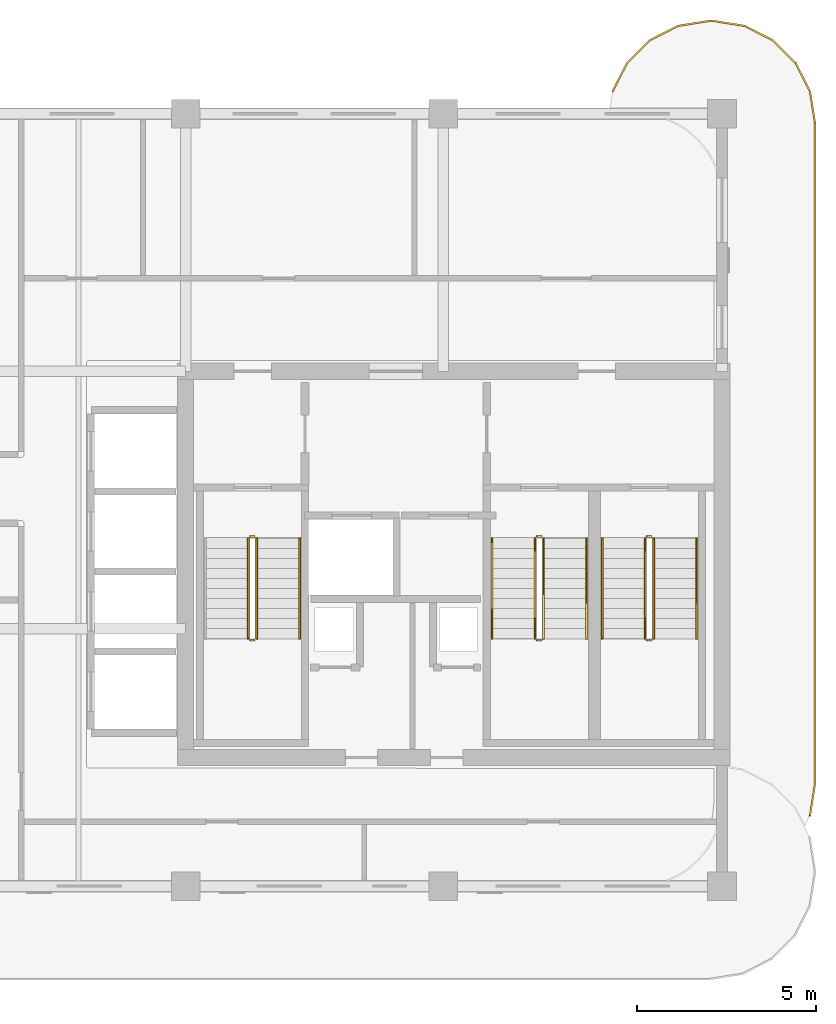
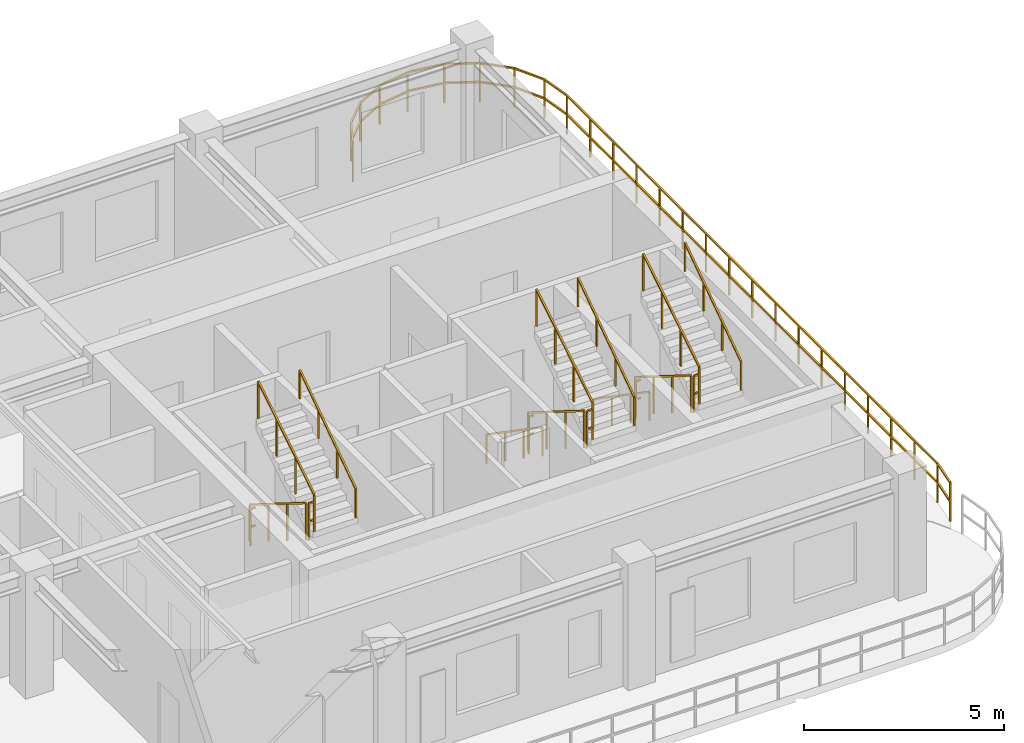
# One storey, part 7 of 7: 18 railings.
"""IFC4 building model written with IfcOpenShell, lengths in metres."""

from ifc_helpers import new_model, si_unit, derived_unit, direction, frame, origin, origin_2d, place, context, subcontext, project, spatial, rectangle, extrude, material, type_object, element, save


model = new_model("IFC4")

# Units and contexts
model_context = context("Model", 3, precision=1e-05, world=origin(), true_north=direction((0.0, 1.0)))
body_context = subcontext(model_context, "Body", "Model", "MODEL_VIEW")
ifc_project = project(units=[si_unit("LENGTHUNIT", "METRE"), si_unit("AREAUNIT", "SQUARE_METRE"), si_unit("VOLUMEUNIT", "CUBIC_METRE"), si_unit("PLANEANGLEUNIT", "RADIAN"), si_unit("MASSUNIT", "GRAM", prefix="KILO"), si_unit("THERMODYNAMICTEMPERATUREUNIT", "KELVIN"), si_unit("POWERUNIT", "WATT"), derived_unit("THERMALTRANSMITTANCEUNIT", [(si_unit("POWERUNIT", "WATT"), 1), (si_unit("AREAUNIT", "SQUARE_METRE"), -1), (si_unit("THERMODYNAMICTEMPERATUREUNIT", "KELVIN"), -1)])], contexts=[model_context])

# Site, building, storey
site_placement = place(None, origin())
site = spatial("IfcSite", under=ifc_project, at=site_placement, CompositionType="ELEMENT")
building_placement = place(site_placement, origin())
building = spatial("IfcBuilding", under=site, at=building_placement, Name="Zahravan Archway Hotel and Residences", CompositionType="ELEMENT")
storey_placement = place(building_placement, frame((0.0, 0.0, 255.800048828125)))
storey = spatial("IfcBuildingStorey", under=building, at=storey_placement, Name="L64", CompositionType="ELEMENT", Elevation=255.800048828125)

# Railings
ifc_material_1 = material(Name="Bronze & Laminated Glass Balustrade", Category="glass")
railing_type_1 = type_object("IfcRailingType", Name="RL-BAL-1200", PredefinedType="BALUSTRADE", material=ifc_material_1)
railing_1_placement = place(storey_placement, frame((46.739501953125, 22.230712890625, 0.0)))
element("IfcRailing", 1, at=railing_1_placement, inside=storey, type_object=railing_type_1, Name="L64 Balustrade RL-SLB-BAL-L64-EA-1", PredefinedType="BALUSTRADE", context=body_context, shape_type="SweptSolid", body=[
    extrude(rectangle(XDim=0.048095703125, YDim=0.048095703125, at=origin_2d()), frame((0.0, 0.0, 1.17578125), z_axis=(0.453991409995, 0.891006060389, 0.0), x_axis=(-0.891006060389, 0.453991409995, 0.0)), (0.0, 0.0, 1.0), 0.8916015625),
    extrude(rectangle(XDim=0.048095703125, YDim=0.048095703125, at=origin_2d()), frame((0.0, 0.0, 0.60009765625), z_axis=(0.453991409995, 0.891006060389, 0.0), x_axis=(-0.891006060389, 0.453991409995, 0.0)), (0.0, 0.0, 1.0), 0.8916015625),
    extrude(rectangle(XDim=0.048095703125, YDim=0.048095703125, at=origin_2d()), frame((0.40478515625, 0.79443359375, 1.17578125), z_axis=(0.707106781187, 0.707106781187, 0.0), x_axis=(-0.707106781187, 0.707106781187, 0.0)), (0.0, 0.0, 1.0), 0.891845703125),
    extrude(rectangle(XDim=0.048095703125, YDim=0.048095703125, at=origin_2d()), frame((0.40478515625, 0.79443359375, 0.60009765625), z_axis=(0.707106781187, 0.707106781187, 0.0), x_axis=(-0.707106781187, 0.707106781187, 0.0)), (0.0, 0.0, 1.0), 0.891845703125),
    extrude(rectangle(XDim=0.048095703125, YDim=0.048095703125, at=origin_2d()), frame((1.035400390625, 1.425048828125, 1.17578125), z_axis=(0.891006060389, 0.453991409995, 0.0), x_axis=(-0.453991409995, 0.891006060389, 0.0)), (0.0, 0.0, 1.0), 0.8916015625),
    extrude(rectangle(XDim=0.048095703125, YDim=0.048095703125, at=origin_2d()), frame((1.035400390625, 1.425048828125, 0.60009765625), z_axis=(0.891006060389, 0.453991409995, 0.0), x_axis=(-0.453991409995, 0.891006060389, 0.0)), (0.0, 0.0, 1.0), 0.8916015625),
    extrude(rectangle(XDim=0.048095703125, YDim=0.048095703125, at=origin_2d()), frame((1.829833984375, 1.829833984375, 1.17578125), z_axis=(0.987700720307, 0.156356282588, 0.0), x_axis=(-0.156356282588, 0.987700720307, 0.0)), (0.0, 0.0, 1.0), 0.8916015625),
    extrude(rectangle(XDim=0.048095703125, YDim=0.048095703125, at=origin_2d()), frame((1.829833984375, 1.829833984375, 0.60009765625), z_axis=(0.987700720307, 0.156356282588, 0.0), x_axis=(-0.156356282588, 0.987700720307, 0.0)), (0.0, 0.0, 1.0), 0.8916015625),
    extrude(rectangle(XDim=0.048095703125, YDim=0.048095703125, at=origin_2d()), frame((2.71044921875, 1.96923828125, 1.17578125), z_axis=(1.0, 0.0, 0.0), x_axis=(0.0, 1.0, 0.0)), (0.0, 0.0, 1.0), 0.10009765625),
    extrude(rectangle(XDim=0.048095703125, YDim=0.048095703125, at=origin_2d()), frame((2.71044921875, 1.96923828125, 0.60009765625), z_axis=(1.0, 0.0, 0.0), x_axis=(0.0, 1.0, 0.0)), (0.0, 0.0, 1.0), 0.10009765625),
    extrude(rectangle(XDim=0.048095703125, YDim=0.048095703125, at=origin_2d()), frame((2.810546875, 1.96923828125, 1.17578125), z_axis=(0.987700720307, -0.156356282588, 0.0), x_axis=(0.156356282588, 0.987700720307, 0.0)), (0.0, 0.0, 1.0), 0.8916015625),
    extrude(rectangle(XDim=0.048095703125, YDim=0.048095703125, at=origin_2d()), frame((2.810546875, 1.96923828125, 0.60009765625), z_axis=(0.987700720307, -0.156356282588, 0.0), x_axis=(0.156356282588, 0.987700720307, 0.0)), (0.0, 0.0, 1.0), 0.8916015625),
    extrude(rectangle(XDim=0.048095703125, YDim=0.048095703125, at=origin_2d()), frame((3.691162109375, 1.829833984375, 1.17578125), z_axis=(0.891006060389, -0.453991409995, 0.0), x_axis=(0.453991409995, 0.891006060389, 0.0)), (0.0, 0.0, 1.0), 0.8916015625),
    extrude(rectangle(XDim=0.048095703125, YDim=0.048095703125, at=origin_2d()), frame((3.691162109375, 1.829833984375, 0.60009765625), z_axis=(0.891006060389, -0.453991409995, 0.0), x_axis=(0.453991409995, 0.891006060389, 0.0)), (0.0, 0.0, 1.0), 0.8916015625),
    extrude(rectangle(XDim=0.048095703125, YDim=0.048095703125, at=origin_2d()), frame((4.485595703125, 1.425048828125, 1.17578125), z_axis=(0.707106781187, -0.707106781187, 0.0), x_axis=(0.707106781187, 0.707106781187, 0.0)), (0.0, 0.0, 1.0), 0.891845703125),
    extrude(rectangle(XDim=0.048095703125, YDim=0.048095703125, at=origin_2d()), frame((4.485595703125, 1.425048828125, 0.60009765625), z_axis=(0.707106781187, -0.707106781187, 0.0), x_axis=(0.707106781187, 0.707106781187, 0.0)), (0.0, 0.0, 1.0), 0.891845703125),
    extrude(rectangle(XDim=0.048095703125, YDim=0.048095703125, at=origin_2d()), frame((5.1162109375, 0.79443359375, 1.17578125), z_axis=(0.453991409995, -0.891006060389, 0.0), x_axis=(0.891006060389, 0.453991409995, 0.0)), (0.0, 0.0, 1.0), 0.8916015625),
    extrude(rectangle(XDim=0.048095703125, YDim=0.048095703125, at=origin_2d()), frame((5.1162109375, 0.79443359375, 0.60009765625), z_axis=(0.453991409995, -0.891006060389, 0.0), x_axis=(0.891006060389, 0.453991409995, 0.0)), (0.0, 0.0, 1.0), 0.8916015625),
    extrude(rectangle(XDim=0.048095703125, YDim=0.048095703125, at=origin_2d()), frame((5.52099609375, 0.0, 1.17578125), z_axis=(0.156356282588, -0.987700720307, 0.0), x_axis=(0.987700720307, 0.156356282588, 0.0)), (0.0, 0.0, 1.0), 0.8916015625),
    extrude(rectangle(XDim=0.048095703125, YDim=0.048095703125, at=origin_2d()), frame((5.52099609375, 0.0, 0.60009765625), z_axis=(0.156356282588, -0.987700720307, 0.0), x_axis=(0.987700720307, 0.156356282588, 0.0)), (0.0, 0.0, 1.0), 0.8916015625),
    extrude(rectangle(XDim=0.048095703125, YDim=0.048095703125, at=origin_2d()), frame((5.660400390625, -0.880615234375, 1.17578125), z_axis=(0.0, -1.0, 0.0), x_axis=(1.0, 0.0, 0.0)), (0.0, 0.0, 1.0), 18.5),
    extrude(rectangle(XDim=0.048095703125, YDim=0.048095703125, at=origin_2d()), frame((5.660400390625, -0.880615234375, 0.60009765625), z_axis=(0.0, -1.0, 0.0), x_axis=(1.0, 0.0, 0.0)), (0.0, 0.0, 1.0), 18.5),
    extrude(rectangle(XDim=0.048095703125, YDim=0.048095703125, at=origin_2d()), frame((5.660400390625, -19.380615234375, 1.17578125), z_axis=(-0.156314005608, -0.987707411965, 0.0), x_axis=(0.987707411965, -0.156314005608, 0.0)), (0.0, 0.0, 1.0), 0.891845703125),
    extrude(rectangle(XDim=0.048095703125, YDim=0.048095703125, at=origin_2d()), frame((5.660400390625, -19.380615234375, 0.60009765625), z_axis=(-0.156314005608, -0.987707411965, 0.0), x_axis=(0.987707411965, -0.156314005608, 0.0)), (0.0, 0.0, 1.0), 0.891845703125),
    extrude(rectangle(XDim=0.0419921875, YDim=0.0419921875, at=origin_2d()), origin(), (0.0, 0.0, 1.0), 1.15185546875),
    extrude(rectangle(XDim=0.0419921875, YDim=0.0419921875, at=origin_2d()), frame((0.40478515625, 0.79443359375, 0.0)), (0.0, 0.0, 1.0), 1.15185546875),
    extrude(rectangle(XDim=0.0419921875, YDim=0.0419921875, at=origin_2d()), frame((1.035400390625, 1.425048828125, 0.0)), (0.0, 0.0, 1.0), 1.15185546875),
    extrude(rectangle(XDim=0.0419921875, YDim=0.0419921875, at=origin_2d()), frame((1.829833984375, 1.829833984375, 0.0)), (0.0, 0.0, 1.0), 1.15185546875),
    extrude(rectangle(XDim=0.0419921875, YDim=0.0419921875, at=origin_2d()), frame((2.71044921875, 1.96923828125, 0.0)), (0.0, 0.0, 1.0), 1.15185546875),
    extrude(rectangle(XDim=0.0419921875, YDim=0.0419921875, at=origin_2d()), frame((3.691162109375, 1.829833984375, 0.0)), (0.0, 0.0, 1.0), 1.15185546875),
    extrude(rectangle(XDim=0.0419921875, YDim=0.0419921875, at=origin_2d()), frame((4.485595703125, 1.425048828125, 0.0)), (0.0, 0.0, 1.0), 1.15185546875),
    extrude(rectangle(XDim=0.0419921875, YDim=0.0419921875, at=origin_2d()), frame((5.1162109375, 0.79443359375, 0.0)), (0.0, 0.0, 1.0), 1.15185546875),
    extrude(rectangle(XDim=0.0419921875, YDim=0.0419921875, at=origin_2d()), frame((5.52099609375, 0.0, 0.0)), (0.0, 0.0, 1.0), 1.15185546875),
    extrude(rectangle(XDim=0.0419921875, YDim=0.0419921875, at=origin_2d()), frame((5.660400390625, -0.880615234375, 0.0)), (0.0, 0.0, 1.0), 1.15185546875),
    extrude(rectangle(XDim=0.0419921875, YDim=0.0419921875, at=origin_2d()), frame((5.660400390625, -2.036865234375, 0.0)), (0.0, 0.0, 1.0), 1.15185546875),
    extrude(rectangle(XDim=0.0419921875, YDim=0.0419921875, at=origin_2d()), frame((5.660400390625, -3.193115234375, 0.0)), (0.0, 0.0, 1.0), 1.15185546875),
    extrude(rectangle(XDim=0.0419921875, YDim=0.0419921875, at=origin_2d()), frame((5.660400390625, -4.349365234375, 0.0)), (0.0, 0.0, 1.0), 1.15185546875),
    extrude(rectangle(XDim=0.0419921875, YDim=0.0419921875, at=origin_2d()), frame((5.660400390625, -5.505615234375, 0.0)), (0.0, 0.0, 1.0), 1.15185546875),
    extrude(rectangle(XDim=0.0419921875, YDim=0.0419921875, at=origin_2d()), frame((5.660400390625, -6.661865234375, 0.0)), (0.0, 0.0, 1.0), 1.15185546875),
    extrude(rectangle(XDim=0.0419921875, YDim=0.0419921875, at=origin_2d()), frame((5.660400390625, -7.818115234375, 0.0)), (0.0, 0.0, 1.0), 1.15185546875),
    extrude(rectangle(XDim=0.0419921875, YDim=0.0419921875, at=origin_2d()), frame((5.660400390625, -8.974365234375, 0.0)), (0.0, 0.0, 1.0), 1.15185546875),
    extrude(rectangle(XDim=0.0419921875, YDim=0.0419921875, at=origin_2d()), frame((5.660400390625, -10.130615234375, 0.0)), (0.0, 0.0, 1.0), 1.15185546875),
    extrude(rectangle(XDim=0.0419921875, YDim=0.0419921875, at=origin_2d()), frame((5.660400390625, -11.286865234375, 0.0)), (0.0, 0.0, 1.0), 1.15185546875),
    extrude(rectangle(XDim=0.0419921875, YDim=0.0419921875, at=origin_2d()), frame((5.660400390625, -12.443115234375, 0.0)), (0.0, 0.0, 1.0), 1.15185546875),
    extrude(rectangle(XDim=0.0419921875, YDim=0.0419921875, at=origin_2d()), frame((5.660400390625, -13.599365234375, 0.0)), (0.0, 0.0, 1.0), 1.15185546875),
    extrude(rectangle(XDim=0.0419921875, YDim=0.0419921875, at=origin_2d()), frame((5.660400390625, -14.755615234375, 0.0)), (0.0, 0.0, 1.0), 1.15185546875),
    extrude(rectangle(XDim=0.0419921875, YDim=0.0419921875, at=origin_2d()), frame((5.660400390625, -15.911865234375, 0.0)), (0.0, 0.0, 1.0), 1.15185546875),
    extrude(rectangle(XDim=0.0419921875, YDim=0.0419921875, at=origin_2d()), frame((5.660400390625, -17.068115234375, 0.0)), (0.0, 0.0, 1.0), 1.15185546875),
    extrude(rectangle(XDim=0.0419921875, YDim=0.0419921875, at=origin_2d()), frame((5.660400390625, -18.224365234375, 0.0)), (0.0, 0.0, 1.0), 1.15185546875),
    extrude(rectangle(XDim=0.0419921875, YDim=0.0419921875, at=origin_2d()), frame((5.660400390625, -19.380615234375, 0.0)), (0.0, 0.0, 1.0), 1.15185546875),
    extrude(rectangle(XDim=0.0419921875, YDim=0.0419921875, at=origin_2d()), frame((5.52099609375, -20.261474609375, 0.0)), (0.0, 0.0, 1.0), 1.15185546875),
])
ifc_material_2 = material(Name="Painted Tubular Steel", Category="steel")
railing_type_2 = type_object("IfcRailingType", Name="RL-STG-1150", PredefinedType="GUARDRAIL", material=ifc_material_2)
railing_2_placement = place(storey_placement, frame((36.550048828125, 9.72998046875, 0.175048828125)))
element("IfcRailing", 2, at=railing_2_placement, inside=storey, type_object=railing_type_2, Name="L64 ST-A1 stair guard 1", PredefinedType="GUARDRAIL", context=body_context, shape_type="SweptSolid", body=[
    extrude(rectangle(XDim=0.048095703125, YDim=0.048095703125, at=origin_2d()), frame((0.0, 0.0, 1.1259765625), z_axis=(0.0, -0.848002457836, 0.529992293815), x_axis=(1.0, 0.0, 0.0)), (0.0, 0.0, 1.0), 3.302001953125),
    extrude(rectangle(XDim=0.0419921875, YDim=0.0419921875, at=origin_2d()), origin(), (0.0, 0.0, 1.0), 1.101806640625),
    extrude(rectangle(XDim=0.0419921875, YDim=0.0419921875, at=origin_2d()), frame((0.0, -0.933349609375, 0.583251953125)), (0.0, 0.0, 1.0), 1.101806640625),
    extrude(rectangle(XDim=0.0419921875, YDim=0.0419921875, at=origin_2d()), frame((0.0, -1.86669921875, 1.166748046875)), (0.0, 0.0, 1.0), 1.101806640625),
    extrude(rectangle(XDim=0.0419921875, YDim=0.0419921875, at=origin_2d()), frame((0.0, -2.800048828125, 1.75)), (0.0, 0.0, 1.0), 1.101806640625),
])
railing_3_placement = place(storey_placement, frame((36.60009765625, 6.8798828125, 1.925048828125)))
element("IfcRailing", 3, at=railing_3_placement, inside=storey, type_object=railing_type_2, Name="L64 ST-A1 stair guard 2", PredefinedType="GUARDRAIL", context=body_context, shape_type="SweptSolid", body=[
    extrude(rectangle(XDim=0.048095703125, YDim=0.048095703125, at=origin_2d()), frame((0.0, 0.0, 1.1259765625), z_axis=(1.0, 0.0, 0.0), x_axis=(0.0, 1.0, 0.0)), (0.0, 0.0, 1.0), 0.139892578125),
    extrude(rectangle(XDim=0.048095703125, YDim=0.048095703125, at=origin_2d()), frame((0.0, 0.0, 0.574951171875), z_axis=(1.0, 0.0, 0.0), x_axis=(0.0, 1.0, 0.0)), (0.0, 0.0, 1.0), 0.139892578125),
    extrude(rectangle(XDim=0.0419921875, YDim=0.0419921875, at=origin_2d()), origin(), (0.0, 0.0, 1.0), 1.101806640625),
])
railing_4_placement = place(storey_placement, frame((36.7900390625, 6.929931640625, 2.099853515625)))
element("IfcRailing", 4, at=railing_4_placement, inside=storey, type_object=railing_type_2, Name="L64 ST-A1 stair guard 3", PredefinedType="GUARDRAIL", context=body_context, shape_type="SweptSolid", body=[
    extrude(rectangle(XDim=0.048095703125, YDim=0.048095703125, at=origin_2d()), frame((0.0, 0.0, 1.1259765625), z_axis=(0.0, 0.848002457836, 0.529992293815), x_axis=(-1.0, 0.0, 0.0)), (0.0, 0.0, 1.0), 3.302001953125),
    extrude(rectangle(XDim=0.0419921875, YDim=0.0419921875, at=origin_2d()), origin(), (0.0, 0.0, 1.0), 1.101806640625),
    extrude(rectangle(XDim=0.0419921875, YDim=0.0419921875, at=origin_2d()), frame((0.0, 0.933349609375, 0.583251953125)), (0.0, 0.0, 1.0), 1.101806640625),
    extrude(rectangle(XDim=0.0419921875, YDim=0.0419921875, at=origin_2d()), frame((0.0, 1.86669921875, 1.166748046875)), (0.0, 0.0, 1.0), 1.101806640625),
    extrude(rectangle(XDim=0.0419921875, YDim=0.0419921875, at=origin_2d()), frame((0.0, 2.800048828125, 1.75)), (0.0, 0.0, 1.0), 1.101806640625),
])
railing_5_placement = place(storey_placement, frame((36.60009765625, 9.780029296875, 0.0)))
element("IfcRailing", 5, at=railing_5_placement, inside=storey, type_object=railing_type_2, Name="L64 ST-A1 stair guard 4", PredefinedType="GUARDRAIL", context=body_context, shape_type="SweptSolid", body=[
    extrude(rectangle(XDim=0.048095703125, YDim=0.048095703125, at=origin_2d()), frame((0.0, 0.0, 1.1259765625), z_axis=(1.0, 0.0, 0.0), x_axis=(0.0, 1.0, 0.0)), (0.0, 0.0, 1.0), 0.139892578125),
    extrude(rectangle(XDim=0.048095703125, YDim=0.048095703125, at=origin_2d()), frame((0.0, 0.0, 0.574951171875), z_axis=(1.0, 0.0, 0.0), x_axis=(0.0, 1.0, 0.0)), (0.0, 0.0, 1.0), 0.139892578125),
    extrude(rectangle(XDim=0.0419921875, YDim=0.0419921875, at=origin_2d()), origin(), (0.0, 0.0, 1.0), 1.101806640625),
])
railing_6_placement = place(storey_placement, frame((44.570068359375, 9.72998046875, 0.175048828125)))
element("IfcRailing", 6, at=railing_6_placement, inside=storey, type_object=railing_type_2, Name="L64 ST-A2 stair guard 1", PredefinedType="GUARDRAIL", context=body_context, shape_type="SweptSolid", body=[
    extrude(rectangle(XDim=0.048095703125, YDim=0.048095703125, at=origin_2d()), frame((0.0, 0.0, 1.1259765625), z_axis=(0.0, -0.848002457836, 0.529992293815), x_axis=(1.0, 0.0, 0.0)), (0.0, 0.0, 1.0), 3.302001953125),
    extrude(rectangle(XDim=0.0419921875, YDim=0.0419921875, at=origin_2d()), origin(), (0.0, 0.0, 1.0), 1.101806640625),
    extrude(rectangle(XDim=0.0419921875, YDim=0.0419921875, at=origin_2d()), frame((0.0, -0.933349609375, 0.583251953125)), (0.0, 0.0, 1.0), 1.101806640625),
    extrude(rectangle(XDim=0.0419921875, YDim=0.0419921875, at=origin_2d()), frame((0.0, -1.86669921875, 1.166748046875)), (0.0, 0.0, 1.0), 1.101806640625),
    extrude(rectangle(XDim=0.0419921875, YDim=0.0419921875, at=origin_2d()), frame((0.0, -2.800048828125, 1.75)), (0.0, 0.0, 1.0), 1.101806640625),
])
railing_7_placement = place(storey_placement, frame((44.6201171875, 6.8798828125, 1.925048828125)))
element("IfcRailing", 7, at=railing_7_placement, inside=storey, type_object=railing_type_2, Name="L64 ST-A2 stair guard 2", PredefinedType="GUARDRAIL", context=body_context, shape_type="SweptSolid", body=[
    extrude(rectangle(XDim=0.048095703125, YDim=0.048095703125, at=origin_2d()), frame((0.0, 0.0, 1.1259765625), z_axis=(1.0, 0.0, 0.0), x_axis=(0.0, 1.0, 0.0)), (0.0, 0.0, 1.0), 0.139892578125),
    extrude(rectangle(XDim=0.048095703125, YDim=0.048095703125, at=origin_2d()), frame((0.0, 0.0, 0.574951171875), z_axis=(1.0, 0.0, 0.0), x_axis=(0.0, 1.0, 0.0)), (0.0, 0.0, 1.0), 0.139892578125),
    extrude(rectangle(XDim=0.0419921875, YDim=0.0419921875, at=origin_2d()), origin(), (0.0, 0.0, 1.0), 1.101806640625),
])
railing_8_placement = place(storey_placement, frame((44.81005859375, 6.929931640625, 2.099853515625)))
element("IfcRailing", 8, at=railing_8_placement, inside=storey, type_object=railing_type_2, Name="L64 ST-A2 stair guard 3", PredefinedType="GUARDRAIL", context=body_context, shape_type="SweptSolid", body=[
    extrude(rectangle(XDim=0.048095703125, YDim=0.048095703125, at=origin_2d()), frame((0.0, 0.0, 1.1259765625), z_axis=(0.0, 0.848002457836, 0.529992293815), x_axis=(-1.0, 0.0, 0.0)), (0.0, 0.0, 1.0), 3.302001953125),
    extrude(rectangle(XDim=0.0419921875, YDim=0.0419921875, at=origin_2d()), origin(), (0.0, 0.0, 1.0), 1.101806640625),
    extrude(rectangle(XDim=0.0419921875, YDim=0.0419921875, at=origin_2d()), frame((0.0, 0.933349609375, 0.583251953125)), (0.0, 0.0, 1.0), 1.101806640625),
    extrude(rectangle(XDim=0.0419921875, YDim=0.0419921875, at=origin_2d()), frame((0.0, 1.86669921875, 1.166748046875)), (0.0, 0.0, 1.0), 1.101806640625),
    extrude(rectangle(XDim=0.0419921875, YDim=0.0419921875, at=origin_2d()), frame((0.0, 2.800048828125, 1.75)), (0.0, 0.0, 1.0), 1.101806640625),
])
railing_9_placement = place(storey_placement, frame((44.6201171875, 9.780029296875, 0.0)))
element("IfcRailing", 9, at=railing_9_placement, inside=storey, type_object=railing_type_2, Name="L64 ST-A2 stair guard 4", PredefinedType="GUARDRAIL", context=body_context, shape_type="SweptSolid", body=[
    extrude(rectangle(XDim=0.048095703125, YDim=0.048095703125, at=origin_2d()), frame((0.0, 0.0, 1.1259765625), z_axis=(1.0, 0.0, 0.0), x_axis=(0.0, 1.0, 0.0)), (0.0, 0.0, 1.0), 0.139892578125),
    extrude(rectangle(XDim=0.048095703125, YDim=0.048095703125, at=origin_2d()), frame((0.0, 0.0, 0.574951171875), z_axis=(1.0, 0.0, 0.0), x_axis=(0.0, 1.0, 0.0)), (0.0, 0.0, 1.0), 0.139892578125),
    extrude(rectangle(XDim=0.0419921875, YDim=0.0419921875, at=origin_2d()), origin(), (0.0, 0.0, 1.0), 1.101806640625),
])
railing_10_placement = place(storey_placement, frame((47.64990234375, 9.72998046875, 0.175048828125)))
element("IfcRailing", 10, at=railing_10_placement, inside=storey, type_object=railing_type_2, Name="L64 ST-A3 stair guard 1", PredefinedType="GUARDRAIL", context=body_context, shape_type="SweptSolid", body=[
    extrude(rectangle(XDim=0.048095703125, YDim=0.048095703125, at=origin_2d()), frame((0.0, 0.0, 1.1259765625), z_axis=(0.0, -0.848002457836, 0.529992293815), x_axis=(1.0, 0.0, 0.0)), (0.0, 0.0, 1.0), 3.302001953125),
    extrude(rectangle(XDim=0.0419921875, YDim=0.0419921875, at=origin_2d()), origin(), (0.0, 0.0, 1.0), 1.101806640625),
    extrude(rectangle(XDim=0.0419921875, YDim=0.0419921875, at=origin_2d()), frame((0.0, -0.933349609375, 0.583251953125)), (0.0, 0.0, 1.0), 1.101806640625),
    extrude(rectangle(XDim=0.0419921875, YDim=0.0419921875, at=origin_2d()), frame((0.0, -1.86669921875, 1.166748046875)), (0.0, 0.0, 1.0), 1.101806640625),
    extrude(rectangle(XDim=0.0419921875, YDim=0.0419921875, at=origin_2d()), frame((0.0, -2.800048828125, 1.75)), (0.0, 0.0, 1.0), 1.101806640625),
])
railing_11_placement = place(storey_placement, frame((47.699951171875, 6.8798828125, 1.925048828125)))
element("IfcRailing", 11, at=railing_11_placement, inside=storey, type_object=railing_type_2, Name="L64 ST-A3 stair guard 2", PredefinedType="GUARDRAIL", context=body_context, shape_type="SweptSolid", body=[
    extrude(rectangle(XDim=0.048095703125, YDim=0.048095703125, at=origin_2d()), frame((0.0, 0.0, 1.1259765625), z_axis=(1.0, 0.0, 0.0), x_axis=(0.0, 1.0, 0.0)), (0.0, 0.0, 1.0), 0.14013671875),
    extrude(rectangle(XDim=0.048095703125, YDim=0.048095703125, at=origin_2d()), frame((0.0, 0.0, 0.574951171875), z_axis=(1.0, 0.0, 0.0), x_axis=(0.0, 1.0, 0.0)), (0.0, 0.0, 1.0), 0.14013671875),
    extrude(rectangle(XDim=0.0419921875, YDim=0.0419921875, at=origin_2d()), origin(), (0.0, 0.0, 1.0), 1.101806640625),
])
railing_12_placement = place(storey_placement, frame((47.889892578125, 6.929931640625, 2.099853515625)))
element("IfcRailing", 12, at=railing_12_placement, inside=storey, type_object=railing_type_2, Name="L64 ST-A3 stair guard 3", PredefinedType="GUARDRAIL", context=body_context, shape_type="SweptSolid", body=[
    extrude(rectangle(XDim=0.048095703125, YDim=0.048095703125, at=origin_2d()), frame((0.0, 0.0, 1.1259765625), z_axis=(0.0, 0.848002457836, 0.529992293815), x_axis=(-1.0, 0.0, 0.0)), (0.0, 0.0, 1.0), 3.302001953125),
    extrude(rectangle(XDim=0.0419921875, YDim=0.0419921875, at=origin_2d()), origin(), (0.0, 0.0, 1.0), 1.101806640625),
    extrude(rectangle(XDim=0.0419921875, YDim=0.0419921875, at=origin_2d()), frame((0.0, 0.933349609375, 0.583251953125)), (0.0, 0.0, 1.0), 1.101806640625),
    extrude(rectangle(XDim=0.0419921875, YDim=0.0419921875, at=origin_2d()), frame((0.0, 1.86669921875, 1.166748046875)), (0.0, 0.0, 1.0), 1.101806640625),
    extrude(rectangle(XDim=0.0419921875, YDim=0.0419921875, at=origin_2d()), frame((0.0, 2.800048828125, 1.75)), (0.0, 0.0, 1.0), 1.101806640625),
])
railing_13_placement = place(storey_placement, frame((47.699951171875, 9.780029296875, 0.0)))
element("IfcRailing", 13, at=railing_13_placement, inside=storey, type_object=railing_type_2, Name="L64 ST-A3 stair guard 4", PredefinedType="GUARDRAIL", context=body_context, shape_type="SweptSolid", body=[
    extrude(rectangle(XDim=0.048095703125, YDim=0.048095703125, at=origin_2d()), frame((0.0, 0.0, 1.1259765625), z_axis=(1.0, 0.0, 0.0), x_axis=(0.0, 1.0, 0.0)), (0.0, 0.0, 1.0), 0.14013671875),
    extrude(rectangle(XDim=0.048095703125, YDim=0.048095703125, at=origin_2d()), frame((0.0, 0.0, 0.574951171875), z_axis=(1.0, 0.0, 0.0), x_axis=(0.0, 1.0, 0.0)), (0.0, 0.0, 1.0), 0.14013671875),
    extrude(rectangle(XDim=0.0419921875, YDim=0.0419921875, at=origin_2d()), origin(), (0.0, 0.0, 1.0), 1.101806640625),
])
ifc_material_3 = material(Name="Brushed Stainless Steel", Category="steel")
railing_type_3 = type_object("IfcRailingType", Name="RL-STH-900", PredefinedType="HANDRAIL", material=ifc_material_3)
railing_14_placement = place(storey_placement, frame((37.989990234375, 6.929931640625, 2.099853515625)))
element("IfcRailing", 14, at=railing_14_placement, inside=storey, type_object=railing_type_3, Name="L64 ST-A1 stair handrail 2", PredefinedType="HANDRAIL", context=body_context, shape_type="SweptSolid", body=[
    extrude(rectangle(XDim=0.048095703125, YDim=0.048095703125, at=origin_2d()), frame((0.0, 0.0, 0.8759765625), z_axis=(0.0, 0.824039827795, 0.566531872191), x_axis=(-1.0, 0.0, 0.0)), (0.0, 0.0, 1.0), 3.39794921875),
    extrude(rectangle(XDim=0.0419921875, YDim=0.0419921875, at=origin_2d()), origin(), (0.0, 0.0, 1.0), 0.851806640625),
    extrude(rectangle(XDim=0.0419921875, YDim=0.0419921875, at=origin_2d()), frame((0.0, 0.933349609375, 0.6416015625)), (0.0, 0.0, 1.0), 0.851806640625),
    extrude(rectangle(XDim=0.0419921875, YDim=0.0419921875, at=origin_2d()), frame((0.0, 1.86669921875, 1.283447265625)), (0.0, 0.0, 1.0), 0.851806640625),
    extrude(rectangle(XDim=0.0419921875, YDim=0.0419921875, at=origin_2d()), frame((0.0, 2.800048828125, 1.925048828125)), (0.0, 0.0, 1.0), 0.851806640625),
])
railing_15_placement = place(storey_placement, frame((43.3701171875, 9.72998046875, 0.175048828125)))
element("IfcRailing", 15, at=railing_15_placement, inside=storey, type_object=railing_type_3, Name="L64 ST-A2 stair handrail 1", PredefinedType="HANDRAIL", context=body_context, shape_type="SweptSolid", body=[
    extrude(rectangle(XDim=0.048095703125, YDim=0.048095703125, at=origin_2d()), frame((0.0, 0.0, 0.8759765625), z_axis=(0.0, -0.824073370198, 0.566483080534), x_axis=(1.0, 0.0, 0.0)), (0.0, 0.0, 1.0), 3.397705078125),
    extrude(rectangle(XDim=0.0419921875, YDim=0.0419921875, at=origin_2d()), origin(), (0.0, 0.0, 1.0), 0.851806640625),
    extrude(rectangle(XDim=0.0419921875, YDim=0.0419921875, at=origin_2d()), frame((0.0, -0.933349609375, 0.6416015625)), (0.0, 0.0, 1.0), 0.851806640625),
    extrude(rectangle(XDim=0.0419921875, YDim=0.0419921875, at=origin_2d()), frame((0.0, -1.86669921875, 1.283203125)), (0.0, 0.0, 1.0), 0.851806640625),
    extrude(rectangle(XDim=0.0419921875, YDim=0.0419921875, at=origin_2d()), frame((0.0, -2.800048828125, 1.9248046875)), (0.0, 0.0, 1.0), 0.851806640625),
])
railing_16_placement = place(storey_placement, frame((46.010009765625, 6.929931640625, 2.099853515625)))
element("IfcRailing", 16, at=railing_16_placement, inside=storey, type_object=railing_type_3, Name="L64 ST-A2 stair handrail 2", PredefinedType="HANDRAIL", context=body_context, shape_type="SweptSolid", body=[
    extrude(rectangle(XDim=0.048095703125, YDim=0.048095703125, at=origin_2d()), frame((0.0, 0.0, 0.8759765625), z_axis=(0.0, 0.824039827795, 0.566531872191), x_axis=(-1.0, 0.0, 0.0)), (0.0, 0.0, 1.0), 3.39794921875),
    extrude(rectangle(XDim=0.0419921875, YDim=0.0419921875, at=origin_2d()), origin(), (0.0, 0.0, 1.0), 0.851806640625),
    extrude(rectangle(XDim=0.0419921875, YDim=0.0419921875, at=origin_2d()), frame((0.0, 0.933349609375, 0.6416015625)), (0.0, 0.0, 1.0), 0.851806640625),
    extrude(rectangle(XDim=0.0419921875, YDim=0.0419921875, at=origin_2d()), frame((0.0, 1.86669921875, 1.283447265625)), (0.0, 0.0, 1.0), 0.851806640625),
    extrude(rectangle(XDim=0.0419921875, YDim=0.0419921875, at=origin_2d()), frame((0.0, 2.800048828125, 1.925048828125)), (0.0, 0.0, 1.0), 0.851806640625),
])
railing_17_placement = place(storey_placement, frame((46.449951171875, 9.72998046875, 0.175048828125)))
element("IfcRailing", 17, at=railing_17_placement, inside=storey, type_object=railing_type_3, Name="L64 ST-A3 stair handrail 1", PredefinedType="HANDRAIL", context=body_context, shape_type="SweptSolid", body=[
    extrude(rectangle(XDim=0.048095703125, YDim=0.048095703125, at=origin_2d()), frame((0.0, 0.0, 0.8759765625), z_axis=(0.0, -0.824073370198, 0.566483080534), x_axis=(1.0, 0.0, 0.0)), (0.0, 0.0, 1.0), 3.397705078125),
    extrude(rectangle(XDim=0.0419921875, YDim=0.0419921875, at=origin_2d()), origin(), (0.0, 0.0, 1.0), 0.851806640625),
    extrude(rectangle(XDim=0.0419921875, YDim=0.0419921875, at=origin_2d()), frame((0.0, -0.933349609375, 0.6416015625)), (0.0, 0.0, 1.0), 0.851806640625),
    extrude(rectangle(XDim=0.0419921875, YDim=0.0419921875, at=origin_2d()), frame((0.0, -1.86669921875, 1.283203125)), (0.0, 0.0, 1.0), 0.851806640625),
    extrude(rectangle(XDim=0.0419921875, YDim=0.0419921875, at=origin_2d()), frame((0.0, -2.800048828125, 1.9248046875)), (0.0, 0.0, 1.0), 0.851806640625),
])
railing_18_placement = place(storey_placement, frame((49.090087890625, 6.929931640625, 2.099853515625)))
element("IfcRailing", 18, at=railing_18_placement, inside=storey, type_object=railing_type_3, Name="L64 ST-A3 stair handrail 2", PredefinedType="HANDRAIL", context=body_context, shape_type="SweptSolid", body=[
    extrude(rectangle(XDim=0.048095703125, YDim=0.048095703125, at=origin_2d()), frame((0.0, 0.0, 0.8759765625), z_axis=(0.0, 0.824039827795, 0.566531872191), x_axis=(-1.0, 0.0, 0.0)), (0.0, 0.0, 1.0), 3.39794921875),
    extrude(rectangle(XDim=0.0419921875, YDim=0.0419921875, at=origin_2d()), origin(), (0.0, 0.0, 1.0), 0.851806640625),
    extrude(rectangle(XDim=0.0419921875, YDim=0.0419921875, at=origin_2d()), frame((0.0, 0.933349609375, 0.6416015625)), (0.0, 0.0, 1.0), 0.851806640625),
    extrude(rectangle(XDim=0.0419921875, YDim=0.0419921875, at=origin_2d()), frame((0.0, 1.86669921875, 1.283447265625)), (0.0, 0.0, 1.0), 0.851806640625),
    extrude(rectangle(XDim=0.0419921875, YDim=0.0419921875, at=origin_2d()), frame((0.0, 2.800048828125, 1.925048828125)), (0.0, 0.0, 1.0), 0.851806640625),
])

save(model, "model.ifc")
